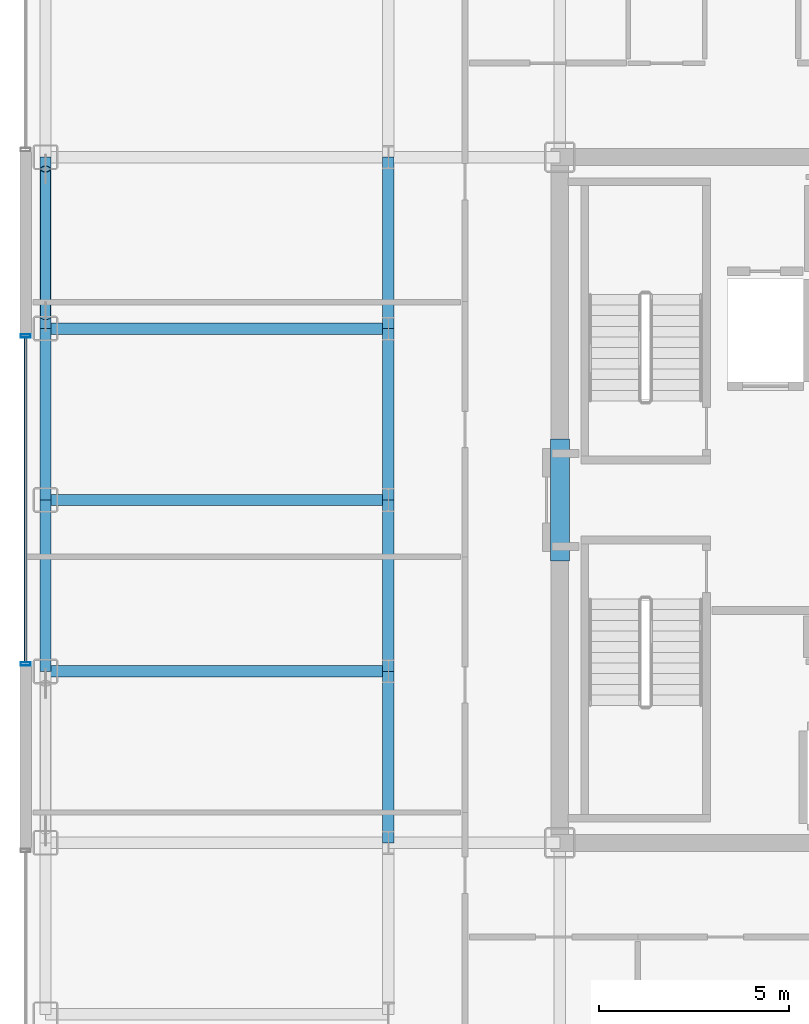
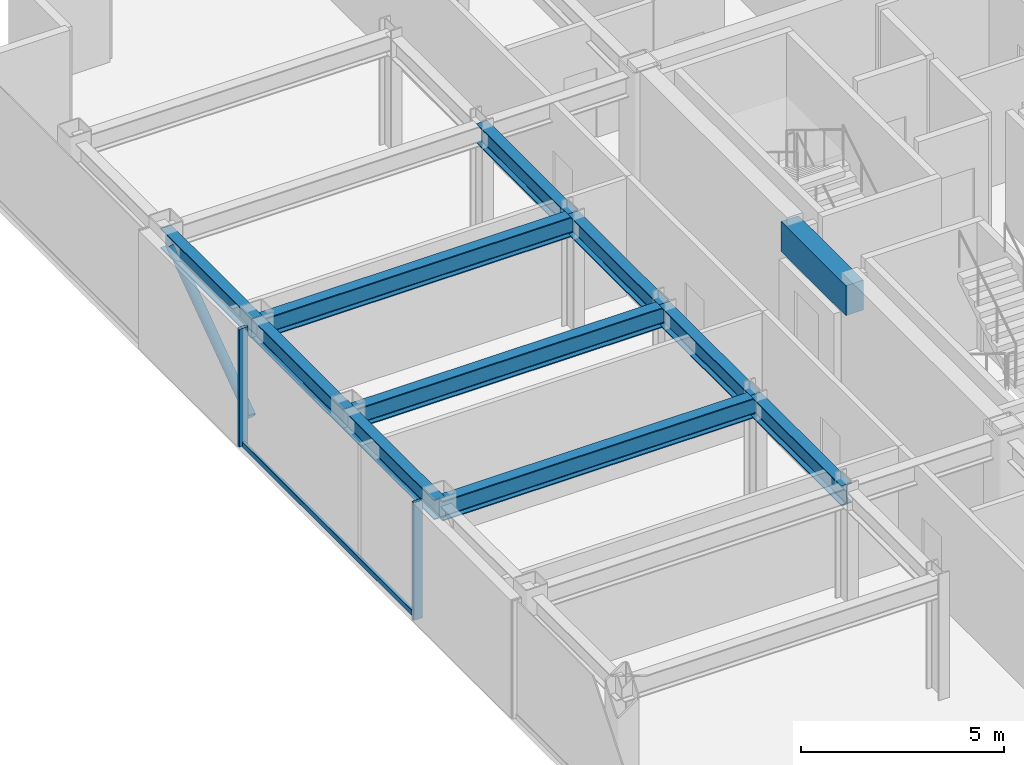
# One storey, part 4 of 17: 11 beams, 4 members, 1 element without a shape of its own.
"""IFC4 building model written with IfcOpenShell, lengths in metres."""

from ifc_helpers import new_model, si_unit, direction, frame, origin, origin_2d, place, context, subcontext, project, spatial, rectangle, hollow_rectangle, hollow_circle, i_section, extrude, source, transform, mapped, material, layer, layer_set, material_profile, profile_set, type_object, element, aggregate, save


model = new_model("IFC4")

# Units and contexts
model_context = context("Model", 3, precision=1e-05, world=origin(), true_north=direction((0.0, 1.0)))
body_context = subcontext(model_context, "Body", "Model", "MODEL_VIEW")
ifc_project = project(units=[si_unit("LENGTHUNIT", "METRE"), si_unit("AREAUNIT", "SQUARE_METRE"), si_unit("VOLUMEUNIT", "CUBIC_METRE"), si_unit("PLANEANGLEUNIT", "RADIAN"), si_unit("MASSUNIT", "GRAM", prefix="KILO")], contexts=[model_context])

# Site, building, storey
site_placement = place(None, origin())
site = spatial("IfcSite", under=ifc_project, at=site_placement, CompositionType="ELEMENT")
building_placement = place(site_placement, origin())
building = spatial("IfcBuilding", under=site, at=building_placement, Name="Nefas-Gora Pilgrimage Tower", CompositionType="ELEMENT")
storey_placement = place(building_placement, frame((0.0, 0.0, 264.60009765625)))
storey = spatial("IfcBuildingStorey", under=building, at=storey_placement, Name="L66", CompositionType="ELEMENT", Elevation=264.60009765625)

# Beams
ifc_material_1 = material(Name="Concrete C50/60", Category="concrete")
ifc_material_profile_1 = material_profile(ifc_material_1, rectangle(XDim=0.5, YDim=0.89990234375, at=origin_2d()), Name="RC 500x900")
ifc_profile_set_1 = profile_set([ifc_material_profile_1], Name="Concrete C50/60")
beam_type_1 = type_object("IfcBeamType", Name="BM-LIN-RC900", PredefinedType="LINTEL", material=ifc_profile_set_1)
shared_shape_1 = source(origin(), body_context, "Body", "SweptSolid", [
    extrude(rectangle(XDim=0.5, YDim=0.89990234375, at=origin_2d()), origin(), (0.0, 0.0, 1.0), 3.2001953125),
])
beam_placement = place(storey_placement, frame((-11.25, -1.60009765625, 3.099853515625), z_axis=(0.0, 1.0, 0.0), x_axis=(-1.0, 0.0, 0.0)))
element("IfcBeam", 1, at=beam_placement, inside=storey, type_object=beam_type_1, Name="L66 Core Coupling Lintel Beam W", PredefinedType="LINTEL", context=body_context, shape_type="MappedRepresentation", body=[
    mapped(shared_shape_1, transform((0.0, 0.0, 0.0), x_axis=(1.0, 0.0, 0.0), y_axis=(0.0, 1.0, 0.0), z_axis=(0.0, 0.0, 1.0), scale=1.0)),
])
ifc_material_2 = material(Name="Steel S355", Category="steel")
ifc_material_profile_2 = material_profile(ifc_material_2, i_section(OverallWidth=0.300048828125, OverallDepth=0.60009765625, WebThickness=0.015380859375, FlangeThickness=0.030029296875, FilletRadius=0.027099609375, at=origin_2d()), Name="HEB 600")
ifc_profile_set_2 = profile_set([ifc_material_profile_2], Name="Steel S355")
beam_type_2 = type_object("IfcBeamType", Name="BM-SPN-HEB450", PredefinedType="SPANDREL", material=ifc_profile_set_2)
shared_shape_2 = source(origin(), body_context, "Body", "SweptSolid", [
    extrude(i_section(OverallWidth=0.300048828125, OverallDepth=0.60009765625, WebThickness=0.015380859375, FlangeThickness=0.030029296875, FilletRadius=0.027099609375, at=origin_2d()), origin(), (0.0, 0.0, 1.0), 4.5),
])
for number, where, z_axis, x_axis, name in (
    (2, (-24.75, -4.5, 3.25), (0.0, 1.0, 0.0), (-1.0, 0.0, 0.0), "L66 SP-03 beam"),
    (3, (-24.75, 0.0, 3.25), (0.0, 1.0, 0.0), (-1.0, 0.0, 0.0), "L66 SP-03 beam"),
    (4, (-24.75, 4.5, 3.25), (0.0, 1.0, 0.0), (-1.0, 0.0, 0.0), "L66 SP-03 beam"),
):
    element("IfcBeam", number, at=place(storey_placement, frame(where, z_axis=z_axis, x_axis=x_axis)), inside=storey, type_object=beam_type_2, Name=name, PredefinedType="SPANDREL", context=body_context, shape_type="MappedRepresentation", body=[
        mapped(shared_shape_2, transform((0.0, 0.0, 0.0), x_axis=(1.0, 0.0, 0.0), y_axis=(0.0, 1.0, 0.0), z_axis=(0.0, 0.0, 1.0), scale=1.0)),
    ])
ifc_material_profile_3 = material_profile(ifc_material_2, i_section(OverallWidth=0.300048828125, OverallDepth=0.60009765625, WebThickness=0.015380859375, FlangeThickness=0.030029296875, FilletRadius=0.027099609375, at=origin_2d()), Name="HEB 600")
ifc_profile_set_3 = profile_set([ifc_material_profile_3], Name="Steel S355")
beam_type_3 = type_object("IfcBeamType", Name="BM-GIR-HEB600", PredefinedType="BEAM", material=ifc_profile_set_3)
shared_shape_3 = source(origin(), body_context, "Body", "SweptSolid", [
    extrude(i_section(OverallWidth=0.300048828125, OverallDepth=0.60009765625, WebThickness=0.015380859375, FlangeThickness=0.030029296875, FilletRadius=0.027099609375, at=origin_2d()), origin(), (0.0, 0.0, 1.0), 9.0),
])
for number, where, z_axis, x_axis, name in (
    (5, (-24.75, -4.5, 3.25), (1.0, 0.0, 0.0), (0.0, 1.0, 0.0), "L66 G-04 beam"),
    (6, (-24.75, 0.0, 3.25), (1.0, 0.0, 0.0), (0.0, 1.0, 0.0), "L66 G-04 beam"),
    (7, (-24.75, 4.5, 3.25), (1.0, 0.0, 0.0), (0.0, 1.0, 0.0), "L66 G-04 beam"),
):
    element("IfcBeam", number, at=place(storey_placement, frame(where, z_axis=z_axis, x_axis=x_axis)), inside=storey, type_object=beam_type_3, Name=name, PredefinedType="BEAM", context=body_context, shape_type="MappedRepresentation", body=[
        mapped(shared_shape_3, transform((0.0, 0.0, 0.0), x_axis=(1.0, 0.0, 0.0), y_axis=(0.0, 1.0, 0.0), z_axis=(0.0, 0.0, 1.0), scale=1.0)),
    ])
shared_shape_4 = source(origin(), body_context, "Body", "SweptSolid", [
    extrude(i_section(OverallWidth=0.300048828125, OverallDepth=0.60009765625, WebThickness=0.015380859375, FlangeThickness=0.030029296875, FilletRadius=0.027099609375, at=origin_2d()), origin(), (0.0, 0.0, 1.0), 4.5),
])
for number, where, z_axis, x_axis, name in (
    (8, (-15.75, -9.0, 3.25), (0.0, 1.0, 0.0), (-1.0, 0.0, 0.0), "L66 G-04 beam"),
    (9, (-15.75, -4.5, 3.25), (0.0, 1.0, 0.0), (-1.0, 0.0, 0.0), "L66 G-04 beam"),
    (10, (-15.75, 0.0, 3.25), (0.0, 1.0, 0.0), (-1.0, 0.0, 0.0), "L66 G-04 beam"),
    (11, (-15.75, 4.5, 3.25), (0.0, 1.0, 0.0), (-1.0, 0.0, 0.0), "L66 G-04 beam"),
):
    element("IfcBeam", number, at=place(storey_placement, frame(where, z_axis=z_axis, x_axis=x_axis)), inside=storey, type_object=beam_type_3, Name=name, PredefinedType="BEAM", context=body_context, shape_type="MappedRepresentation", body=[
        mapped(shared_shape_4, transform((0.0, 0.0, 0.0), x_axis=(1.0, 0.0, 0.0), y_axis=(0.0, 1.0, 0.0), z_axis=(0.0, 0.0, 1.0), scale=1.0)),
    ])

# Member
ifc_material_profile_4 = material_profile(ifc_material_2, hollow_circle(Radius=0.136474609375, WallThickness=0.01611328125, at=origin_2d()), Name="CHS 273x16")
ifc_profile_set_4 = profile_set([ifc_material_profile_4], Name="Steel S355")
member_type_1 = type_object("IfcMemberType", Name="MEM-TUBE-273", PredefinedType="BRACE", material=ifc_profile_set_4)
shared_shape_5 = source(origin(), body_context, "Body", "SweptSolid", [
    extrude(hollow_circle(Radius=0.136474609375, WallThickness=0.01611328125, at=origin_2d()), origin(), (0.0, 0.0, 1.0), 4.763671875),
])
member_1_placement = place(storey_placement, frame((-24.75, 4.81298828125, 0.3740234375), z_axis=(0.0, 0.813255312614, 0.581907034246), x_axis=(-1.0, 0.0, 0.0)))
element("IfcMember", 12, at=member_1_placement, inside=storey, type_object=member_type_1, Name="L66 Perimeter Tube Diagonal Brace W2", PredefinedType="BRACE", context=body_context, shape_type="MappedRepresentation", body=[
    mapped(shared_shape_5, transform((0.0, 0.0, 0.0), x_axis=(1.0, 0.0, 0.0), y_axis=(0.0, 1.0, 0.0), z_axis=(0.0, 0.0, 1.0), scale=1.0)),
])

# Curtain wall, members
ifc_material_3 = material(Name="Dark ceramic-fritted solar-control aluminium-glass curtain wall", Category="aluminium")
ifc_layer = layer(ifc_material_3, 0.219970703125)
ifc_layer_set = layer_set([ifc_layer], Name="Dark ceramic-fritted solar-control aluminium-glass curtain wall")
curtain_wall_type = type_object("IfcCurtainWallType", Name="CW-SYS-4", PredefinedType="NOTDEFINED", material=ifc_layer_set)
curtain_wall_placement = place(storey_placement, origin())
curtain_wall = element("IfcCurtainWall", 13, at=curtain_wall_placement, inside=storey, type_object=curtain_wall_type, Name="L66 Unitised Curtain Wall CW4", PredefinedType="NOTDEFINED")
ifc_material_4 = material(Name="Anodised architectural aluminium", Category="aluminium")
ifc_material_profile_5 = material_profile(ifc_material_4, hollow_rectangle(XDim=0.090087890625, YDim=0.260009765625, WallThickness=0.006103515625, InnerFilletRadius=0.006103515625, OuterFilletRadius=0.011962890625, at=origin_2d()), Name="ALU MULLION 90x260")
ifc_profile_set_5 = profile_set([ifc_material_profile_5], Name="Anodised architectural aluminium")
member_type_2 = type_object("IfcMemberType", Name="CWM-MUL-4", PredefinedType="MULLION", material=ifc_profile_set_5)
shared_shape_6 = source(origin(), body_context, "Body", "SweptSolid", [
    extrude(hollow_rectangle(XDim=0.090087890625, YDim=0.260009765625, WallThickness=0.006103515625, InnerFilletRadius=0.006103515625, OuterFilletRadius=0.011962890625, at=origin_2d()), origin(), (0.0, 0.0, 1.0), 3.5498046875),
])
member_2_placement = place(storey_placement, frame((-25.27001953125, 4.304931640625, 0.0), z_axis=(0.0, 0.0, 1.0), x_axis=(0.0, -1.0, 0.0)))
member_2 = element("IfcMember", 14, at=member_2_placement, type_object=member_type_2, Name="CW4 Mullion 1", PredefinedType="MULLION", context=body_context, shape_type="MappedRepresentation", body=[
    mapped(shared_shape_6, transform((0.0, 0.0, 0.0), x_axis=(1.0, 0.0, 0.0), y_axis=(0.0, 1.0, 0.0), z_axis=(0.0, 0.0, 1.0), scale=1.0)),
])
member_3_placement = place(storey_placement, frame((-25.27001953125, -4.304931640625, 0.0), z_axis=(0.0, 0.0, 1.0), x_axis=(0.0, -1.0, 0.0)))
member_3 = element("IfcMember", 15, at=member_3_placement, type_object=member_type_2, Name="CW4 Mullion 2", PredefinedType="MULLION", context=body_context, shape_type="MappedRepresentation", body=[
    mapped(shared_shape_6, transform((0.0, 0.0, 0.0), x_axis=(1.0, 0.0, 0.0), y_axis=(0.0, 1.0, 0.0), z_axis=(0.0, 0.0, 1.0), scale=1.0)),
])
ifc_material_profile_6 = material_profile(ifc_material_4, hollow_rectangle(XDim=0.080078125, YDim=0.159912109375, WallThickness=0.00439453125, InnerFilletRadius=0.00439453125, OuterFilletRadius=0.009033203125, at=origin_2d()), Name="ALU TRANSOM 80x160")
ifc_profile_set_6 = profile_set([ifc_material_profile_6], Name="Anodised architectural aluminium")
member_type_3 = type_object("IfcMemberType", Name="CWM-TRN-4", PredefinedType="USERDEFINED", material=ifc_profile_set_6)
shared_shape_7 = source(origin(), body_context, "Body", "SweptSolid", [
    extrude(hollow_rectangle(XDim=0.080078125, YDim=0.159912109375, WallThickness=0.00439453125, InnerFilletRadius=0.00439453125, OuterFilletRadius=0.009033203125, at=origin_2d()), origin(), (0.0, 0.0, 1.0), 8.52001953125),
])
member_4_placement = place(storey_placement, frame((-25.27001953125, 4.260009765625, 0.0498046875), z_axis=(0.0, -1.0, 0.0), x_axis=(1.0, 0.0, 0.0)))
member_4 = element("IfcMember", 16, at=member_4_placement, type_object=member_type_3, Name="CW4 Spandrel Transom", ObjectType="TRANSOM", PredefinedType="USERDEFINED", context=body_context, shape_type="MappedRepresentation", body=[
    mapped(shared_shape_7, transform((0.0, 0.0, 0.0), x_axis=(1.0, 0.0, 0.0), y_axis=(0.0, 1.0, 0.0), z_axis=(0.0, 0.0, 1.0), scale=1.0)),
])
aggregate(curtain_wall, [member_2, member_3, member_4])

save(model, "model.ifc")
